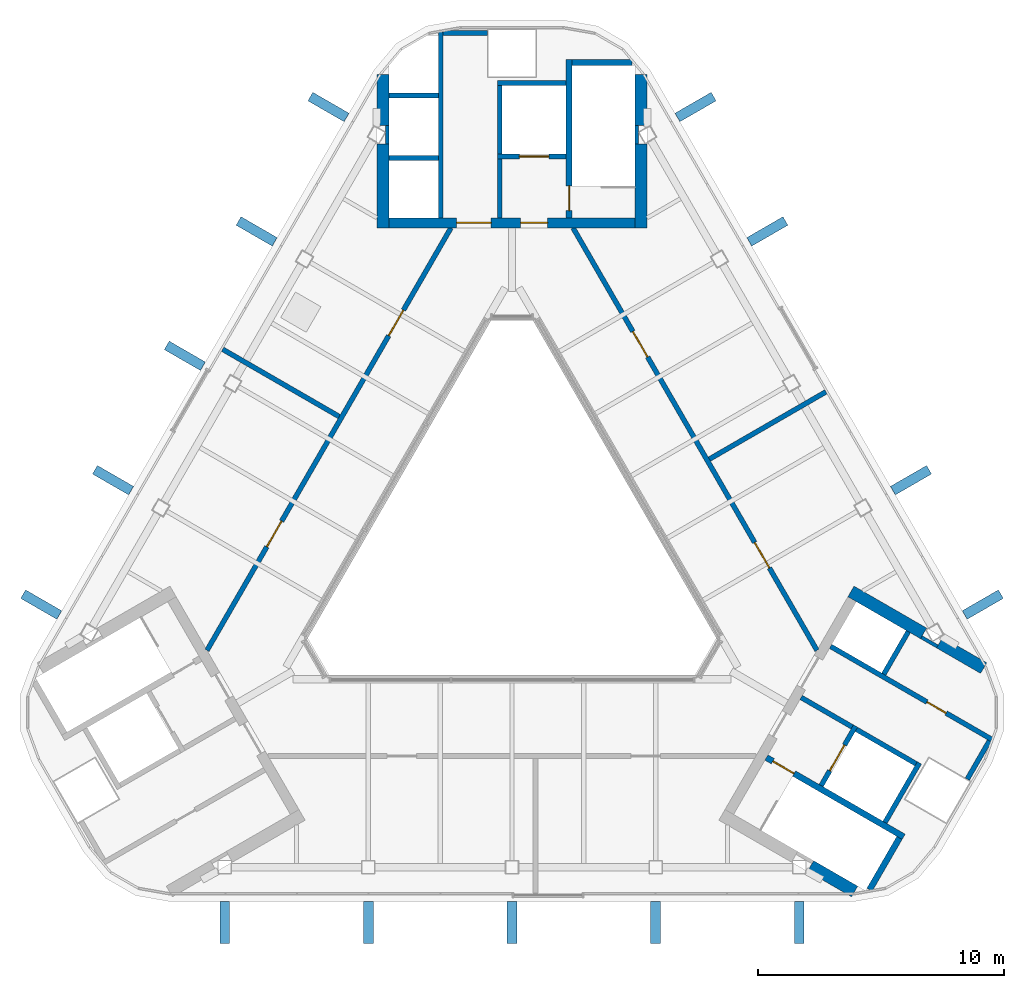
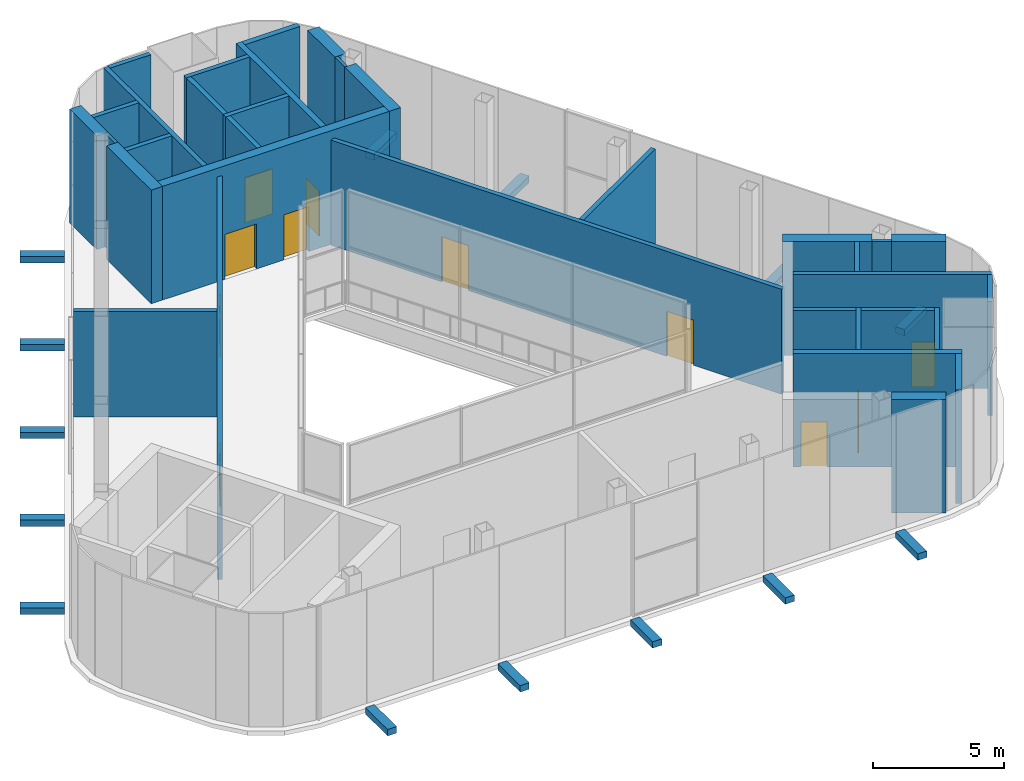
# One storey, part 7 of 9: 34 walls, 14 discrete accessories, 11 doors, 11 openings.
"""IFC4 building model written with IfcOpenShell, lengths in metres."""

from ifc_helpers import new_model, si_unit, direction, frame, frame_2d, origin, origin_2d, place, context, subcontext, project, spatial, rectangle, extrude, material, layer, layer_set, type_object, element, fill, save


model = new_model("IFC4")

# Units and contexts
model_context = context("Model", 3, precision=1e-05, world=origin(), true_north=direction((0.0, 1.0)))
body_context = subcontext(model_context, "Body", "Model", "MODEL_VIEW")
ifc_project = project(units=[si_unit("LENGTHUNIT", "METRE"), si_unit("AREAUNIT", "SQUARE_METRE"), si_unit("VOLUMEUNIT", "CUBIC_METRE"), si_unit("PLANEANGLEUNIT", "RADIAN"), si_unit("MASSUNIT", "GRAM", prefix="KILO")], contexts=[model_context])

# Site, building, storey
site_placement = place(None, origin())
site = spatial("IfcSite", under=ifc_project, at=site_placement, CompositionType="ELEMENT")
building_placement = place(site_placement, origin())
building = spatial("IfcBuilding", under=site, at=building_placement, Name="Apuvela Tower Hotel", CompositionType="ELEMENT")
storey_placement = place(building_placement, frame((0.0, 0.0, 343.300048828125)))
storey = spatial("IfcBuildingStorey", under=building, at=storey_placement, Name="R-1 ROOF", CompositionType="ELEMENT", Elevation=343.300048828125)

# Walls
ifc_material_1 = material(Name="Concrete C50/60", Category="concrete")
ifc_layer_1 = layer(ifc_material_1, 0.139892578125)
ifc_layer_set_1 = layer_set([ifc_layer_1], Name="COR-WALL-CORE-140")
wall_type_1 = type_object("IfcWallType", Name="COR-WALL-CORE-140", PredefinedType="SHEAR", material=ifc_layer_set_1)
for number, where, z_axis, x_axis, name in (
    (1, (5.070068359375, 16.31298828125, 0.0), (0.0, 0.0, 1.0), (0.0, 1.0, 0.0), "Core wall N"),
    (2, (-5.070068359375, 16.31298828125, 0.0), (0.0, 0.0, 1.0), (0.0, 1.0, 0.0), "Core wall N"),
):
    element("IfcWall", number, at=place(storey_placement, frame(where, z_axis=z_axis, x_axis=x_axis)), inside=storey, type_object=wall_type_1, Name=name, PredefinedType="SHEAR", context=body_context, shape_type="SweptSolid", body=[
        extrude(rectangle(XDim=0.75146484375, YDim=0.139892578125, at=frame_2d((0.375732421875, 0.0))), origin(), (0.0, 0.0, 1.0), 5.300048828125),
    ])
wall_1_placement = place(storey_placement, frame((16.66259765625, -3.765869140625, 0.0), z_axis=(0.0, 0.0, 1.0), x_axis=(0.86603400694, -0.499985098601, 0.0)))
element("IfcWall", 3, at=wall_1_placement, inside=storey, type_object=wall_type_1, Name="Core wall SE", PredefinedType="SHEAR", context=body_context, shape_type="SweptSolid", body=[
    extrude(rectangle(XDim=0.7509765625, YDim=0.139892578125, at=frame_2d((0.37548828125, 0.0))), origin(), (0.0, 0.0, 1.0), 5.300048828125),
])

# Wall, openings, doors
ifc_layer_2 = layer(ifc_material_1, 0.39990234375)
ifc_layer_set_2 = layer_set([ifc_layer_2], Name="COR-WALL-CORE-400")
wall_type_2 = type_object("IfcWallType", Name="COR-WALL-CORE-400", PredefinedType="SHEAR", material=ifc_layer_set_2)
wall_2_placement = place(storey_placement, frame((5.0, 13.10009765625, 0.0), z_axis=(0.0, 0.0, 1.0), x_axis=(-1.0, 0.0, 0.0)))
wall_2 = element("IfcWall", 4, at=wall_2_placement, inside=storey, type_object=wall_type_2, Name="Core wall N", PredefinedType="SHEAR", context=body_context, shape_type="SweptSolid", body=[
    extrude(rectangle(XDim=10.0, YDim=0.39990234375, at=frame_2d((5.0, 0.0))), origin(), (0.0, 0.0, 1.0), 5.300048828125),
])
opening_1_placement = place(wall_2_placement, frame((3.550048828125, 0.0, 0.0)))
opening_1 = element("IfcOpeningElement", 5, at=opening_1_placement, cuts=wall_2, Name="Opening N-FD", PredefinedType="OPENING", context=body_context, shape_type="SweptSolid", body=[
    extrude(rectangle(XDim=1.10009765625, YDim=2.10009765625, at=frame_2d((0.550048828125, 1.050048828125))), frame((0.0, 0.2099609375, 0.0), z_axis=(0.0, -1.0, 0.0), x_axis=(1.0, 0.0, 0.0)), (0.0, 0.0, 1.0), 0.419921875),
])
opening_2_placement = place(wall_2_placement, frame((5.85009765625, 0.0, 0.0)))
opening_2 = element("IfcOpeningElement", 6, at=opening_2_placement, cuts=wall_2, Name="Opening N-GD", PredefinedType="OPENING", context=body_context, shape_type="SweptSolid", body=[
    extrude(rectangle(XDim=1.39990234375, YDim=2.10009765625, at=frame_2d((0.699951171875, 1.050048828125))), frame((0.0, 0.2099609375, 0.0), z_axis=(0.0, -1.0, 0.0), x_axis=(1.0, 0.0, 0.0)), (0.0, 0.0, 1.0), 0.419921875),
])
ifc_material_2 = material(Name="Steel fire door, powder coated", Category="steel")
door_type_1 = type_object("IfcDoorType", Name="COR-FD-1100", OperationType="NOTDEFINED", PredefinedType="DOOR", material=ifc_material_2)
door_1_placement = place(opening_1_placement, frame((1.10009765625, 0.0, 0.0), z_axis=(0.0, 0.0, 1.0), x_axis=(-1.0, 0.0, 0.0)))
door_1 = element("IfcDoor", 7, at=door_1_placement, inside=storey, type_object=door_type_1, Name="Firefighting lobby door N-FD", OperationType="SINGLE_SWING_LEFT", OverallHeight=2.10009765625, OverallWidth=1.10009765625, PredefinedType="DOOR", context=body_context, shape_type="SweptSolid", body=[
    extrude(rectangle(XDim=1.10009765625, YDim=2.10009765625, at=frame_2d((0.550048828125, 1.050048828125))), frame((0.0, 0.02490234375, 0.0), z_axis=(0.0, -1.0, 0.0), x_axis=(1.0, 0.0, 0.0)), (0.0, 0.0, 1.0), 0.050048828125),
])
fill(opening_1, door_1)
ifc_material_3 = material(Name="Glazed steel fire door", Category="steel")
door_type_2 = type_object("IfcDoorType", Name="COR-GD-1400", OperationType="DOUBLE_DOOR_SINGLE_SWING", PredefinedType="DOOR", material=ifc_material_3)
door_2_placement = place(opening_2_placement, frame((1.39990234375, 0.0, 0.0), z_axis=(0.0, 0.0, 1.0), x_axis=(-1.0, 0.0, 0.0)))
door_2 = element("IfcDoor", 8, at=door_2_placement, inside=storey, type_object=door_type_2, Name="Lift lobby door N-GD", OperationType="DOUBLE_DOOR_SINGLE_SWING", OverallHeight=2.10009765625, OverallWidth=1.39990234375, PredefinedType="DOOR", context=body_context, shape_type="SweptSolid", body=[
    extrude(rectangle(XDim=1.39990234375, YDim=2.10009765625, at=frame_2d((0.699951171875, 1.050048828125))), frame((0.0, 0.02490234375, 0.0), z_axis=(0.0, -1.0, 0.0), x_axis=(1.0, 0.0, 0.0)), (0.0, 0.0, 1.0), 0.050048828125),
])
fill(opening_2, door_2)

# Walls
ifc_layer_3 = layer(ifc_material_1, 0.5)
ifc_layer_set_3 = layer_set([ifc_layer_3], Name="COR-WALL-CORE-500")
wall_type_3 = type_object("IfcWallType", Name="COR-WALL-CORE-500", PredefinedType="SHEAR", material=ifc_layer_set_3)
wall_3_placement = place(storey_placement, frame((5.25, 12.89990234375, 0.0), z_axis=(0.0, 0.0, 1.0), x_axis=(0.0, 1.0, 0.0)))
element("IfcWall", 9, at=wall_3_placement, inside=storey, type_object=wall_type_3, Name="Core wall N", PredefinedType="SHEAR", context=body_context, shape_type="SweptSolid", body=[
    extrude(rectangle(XDim=3.4130859375, YDim=0.5, at=frame_2d((1.70654296875, 0.0))), origin(), (0.0, 0.0, 1.0), 5.300048828125),
])
wall_4_placement = place(storey_placement, frame((5.25, 17.064453125, 0.0), z_axis=(0.0, 0.0, 1.0), x_axis=(0.0, 1.0, 0.0)))
element("IfcWall", 10, at=wall_4_placement, inside=storey, type_object=wall_type_3, Name="Core wall N", PredefinedType="SHEAR", context=body_context, shape_type="SweptSolid", body=[
    extrude(rectangle(XDim=2.0712890625, YDim=0.5, at=frame_2d((1.03564453125, 0.0))), origin(), (0.0, 0.0, 1.0), 5.300048828125),
])
wall_5_placement = place(storey_placement, frame((-5.25, 12.89990234375, 0.0), z_axis=(0.0, 0.0, 1.0), x_axis=(0.0, 1.0, 0.0)))
element("IfcWall", 11, at=wall_5_placement, inside=storey, type_object=wall_type_3, Name="Core wall N", PredefinedType="SHEAR", context=body_context, shape_type="SweptSolid", body=[
    extrude(rectangle(XDim=3.4130859375, YDim=0.5, at=frame_2d((1.70654296875, 0.0))), origin(), (0.0, 0.0, 1.0), 5.300048828125),
])
wall_6_placement = place(storey_placement, frame((-5.25, 17.064453125, 0.0), z_axis=(0.0, 0.0, 1.0), x_axis=(0.0, 1.0, 0.0)))
element("IfcWall", 12, at=wall_6_placement, inside=storey, type_object=wall_type_3, Name="Core wall N", PredefinedType="SHEAR", context=body_context, shape_type="SweptSolid", body=[
    extrude(rectangle(XDim=2.0712890625, YDim=0.5, at=frame_2d((1.03564453125, 0.0))), origin(), (0.0, 0.0, 1.0), 5.300048828125),
])
wall_7_placement = place(storey_placement, frame((12.153076171875, -13.078857421875, 0.0), z_axis=(0.0, 0.0, 1.0), x_axis=(0.866044274939, -0.499967312778, 0.0)))
element("IfcWall", 13, at=wall_7_placement, inside=storey, type_object=wall_type_3, Name="Core wall SE", PredefinedType="SHEAR", context=body_context, shape_type="SweptSolid", body=[
    extrude(rectangle(XDim=2.071533203125, YDim=0.5, at=frame_2d((1.03564453125, 0.0))), origin(), (0.0, 0.0, 1.0), 5.300048828125),
])
wall_8_placement = place(storey_placement, frame((13.796630859375, -1.9033203125, 0.0), z_axis=(0.0, 0.0, 1.0), x_axis=(0.866024775297, -0.500001088571, 0.0)))
element("IfcWall", 14, at=wall_8_placement, inside=storey, type_object=wall_type_3, Name="Core wall SE", PredefinedType="SHEAR", context=body_context, shape_type="SweptSolid", body=[
    extrude(rectangle(XDim=3.4130859375, YDim=0.5, at=frame_2d((1.70654296875, 0.0))), origin(), (0.0, 0.0, 1.0), 5.300048828125),
])
wall_9_placement = place(storey_placement, frame((17.403076171875, -3.985595703125, 0.0), z_axis=(0.0, 0.0, 1.0), x_axis=(0.866044274939, -0.499967312778, 0.0)))
element("IfcWall", 15, at=wall_9_placement, inside=storey, type_object=wall_type_3, Name="Core wall SE", PredefinedType="SHEAR", context=body_context, shape_type="SweptSolid", body=[
    extrude(rectangle(XDim=2.071533203125, YDim=0.5, at=frame_2d((1.03564453125, 0.0))), origin(), (0.0, 0.0, 1.0), 5.300048828125),
])
ifc_layer_4 = layer(ifc_material_1, 0.199951171875)
ifc_layer_set_4 = layer_set([ifc_layer_4], Name="COR-WALL-SHAFT-200")
wall_type_4 = type_object("IfcWallType", Name="COR-WALL-SHAFT-200", PredefinedType="SHEAR", material=ifc_layer_set_4)
wall_10_placement = place(storey_placement, frame((2.199951171875, 18.800048828125, 0.0), z_axis=(0.0, 0.0, 1.0), x_axis=(-1.0, 0.0, 0.0)))
element("IfcWall", 16, at=wall_10_placement, inside=storey, type_object=wall_type_4, Name="Shaft wall N", PredefinedType="SHEAR", context=body_context, shape_type="SweptSolid", body=[
    extrude(rectangle(XDim=2.800048828125, YDim=0.199951171875, at=frame_2d((1.39990234375, 0.0))), origin(), (0.0, 0.0, 1.0), 5.300048828125),
])

# Wall, opening, door
wall_11_placement = place(storey_placement, frame((2.199951171875, 15.800048828125, 0.0), z_axis=(0.0, 0.0, 1.0), x_axis=(-1.0, 0.0, 0.0)))
wall_11 = element("IfcWall", 17, at=wall_11_placement, inside=storey, type_object=wall_type_4, Name="Shaft wall N", PredefinedType="SHEAR", context=body_context, shape_type="SweptSolid", body=[
    extrude(rectangle(XDim=2.800048828125, YDim=0.199951171875, at=frame_2d((1.39990234375, 0.0))), origin(), (0.0, 0.0, 1.0), 5.300048828125),
])
opening_3_placement = place(wall_11_placement, frame((0.699951171875, 0.0, 0.0)))
opening_3 = element("IfcOpeningElement", 18, at=opening_3_placement, cuts=wall_11, Name="Opening N-LD-FS1", PredefinedType="OPENING", context=body_context, shape_type="SweptSolid", body=[
    extrude(rectangle(XDim=1.199951171875, YDim=2.10009765625, at=frame_2d((0.60009765625, 1.050048828125))), frame((0.0, 0.10986328125, 0.0), z_axis=(0.0, -1.0, 0.0), x_axis=(1.0, 0.0, 0.0)), (0.0, 0.0, 1.0), 0.219970703125),
])
ifc_material_4 = material(Name="Stainless steel lift landing door", Category="steel")
door_type_3 = type_object("IfcDoorType", Name="COR-LD-1200", OperationType="DOUBLE_DOOR_SLIDING", PredefinedType="DOOR", material=ifc_material_4)
door_3_placement = place(opening_3_placement, origin())
door_3 = element("IfcDoor", 19, at=door_3_placement, inside=storey, type_object=door_type_3, Name="Lift landing door N-LD-FS1", OperationType="DOUBLE_DOOR_SLIDING", OverallHeight=2.10009765625, OverallWidth=1.199951171875, PredefinedType="DOOR", context=body_context, shape_type="SweptSolid", body=[
    extrude(rectangle(XDim=1.199951171875, YDim=2.10009765625, at=frame_2d((0.60009765625, 1.050048828125))), frame((0.0, 0.02490234375, 0.0), z_axis=(0.0, -1.0, 0.0), x_axis=(1.0, 0.0, 0.0)), (0.0, 0.0, 1.0), 0.050048828125),
])
fill(opening_3, door_3)

# Walls
wall_12_placement = place(storey_placement, frame((-0.5, 15.89990234375, 0.0), z_axis=(0.0, 0.0, 1.0), x_axis=(0.0, 1.0, 0.0)))
element("IfcWall", 20, at=wall_12_placement, inside=storey, type_object=wall_type_4, Name="Shaft wall N", PredefinedType="SHEAR", context=body_context, shape_type="SweptSolid", body=[
    extrude(rectangle(XDim=2.800048828125, YDim=0.199951171875, at=frame_2d((1.39990234375, 0.0))), origin(), (0.0, 0.0, 1.0), 5.300048828125),
])
wall_13_placement = place(storey_placement, frame((-0.5, 13.300048828125, 0.0), z_axis=(0.0, 0.0, 1.0), x_axis=(0.0, 1.0, 0.0)))
element("IfcWall", 21, at=wall_13_placement, inside=storey, type_object=wall_type_4, Name="Shaft wall N", PredefinedType="SHEAR", context=body_context, shape_type="SweptSolid", body=[
    extrude(rectangle(XDim=2.39990234375, YDim=0.199951171875, at=frame_2d((1.199951171875, 0.0))), origin(), (0.0, 0.0, 1.0), 5.300048828125),
])
wall_14_placement = place(storey_placement, frame((-2.89990234375, 13.300048828125, 0.0), z_axis=(0.0, 0.0, 1.0), x_axis=(0.0, 1.0, 0.0)))
element("IfcWall", 22, at=wall_14_placement, inside=storey, type_object=wall_type_4, Name="Shaft wall N", PredefinedType="SHEAR", context=body_context, shape_type="SweptSolid", body=[
    extrude(rectangle(XDim=7.576416015625, YDim=0.199951171875, at=frame_2d((3.7880859375, 0.0))), origin(), (0.0, 0.0, 1.0), 5.300048828125),
])
wall_15_placement = place(storey_placement, frame((-1.0, 20.820068359375, 0.0), z_axis=(0.0, 0.0, 1.0), x_axis=(-1.0, 0.0, 0.0)))
element("IfcWall", 23, at=wall_15_placement, inside=storey, type_object=wall_type_4, Name="Shaft wall N", PredefinedType="SHEAR", context=body_context, shape_type="SweptSolid", body=[
    extrude(rectangle(XDim=1.800048828125, YDim=0.199951171875, at=frame_2d((0.89990234375, 0.0))), origin(), (0.0, 0.0, 1.0), 5.300048828125),
])
for number, where, z_axis, x_axis, name in (
    (24, (-3.0, 15.739990234375, 0.0), (0.0, 0.0, 1.0), (-1.0, 0.0, 0.0), "Shaft wall N"),
    (25, (-3.0, 18.280029296875, 0.0), (0.0, 0.0, 1.0), (-1.0, 0.0, 0.0), "Shaft wall N"),
):
    element("IfcWall", number, at=place(storey_placement, frame(where, z_axis=z_axis, x_axis=x_axis)), inside=storey, type_object=wall_type_4, Name=name, PredefinedType="SHEAR", context=body_context, shape_type="SweptSolid", body=[
        extrude(rectangle(XDim=2.0, YDim=0.199951171875, at=frame_2d((1.0, 0.0))), origin(), (0.0, 0.0, 1.0), 5.300048828125),
    ])
wall_16_placement = place(storey_placement, frame((15.181396484375, -11.305419921875, 0.0), z_axis=(0.0, 0.0, 1.0), x_axis=(0.49994636267, 0.866056369097, 0.0)))
element("IfcWall", 26, at=wall_16_placement, inside=storey, type_object=wall_type_4, Name="Shaft wall SE", PredefinedType="SHEAR", context=body_context, shape_type="SweptSolid", body=[
    extrude(rectangle(XDim=2.800048828125, YDim=0.199951171875, at=frame_2d((1.39990234375, 0.0))), origin(), (0.0, 0.0, 1.0), 5.300048828125),
])

# Wall, opening, door
wall_17_placement = place(storey_placement, frame((12.583251953125, -9.805419921875, 0.0), z_axis=(0.0, 0.0, 1.0), x_axis=(0.49994636267, 0.866056369097, 0.0)))
wall_17 = element("IfcWall", 27, at=wall_17_placement, inside=storey, type_object=wall_type_4, Name="Shaft wall SE", PredefinedType="SHEAR", context=body_context, shape_type="SweptSolid", body=[
    extrude(rectangle(XDim=2.800048828125, YDim=0.199951171875, at=frame_2d((1.39990234375, 0.0))), origin(), (0.0, 0.0, 1.0), 5.300048828125),
])
opening_4_placement = place(wall_17_placement, frame((0.699951171875, 0.0, 0.0)))
opening_4 = element("IfcOpeningElement", 28, at=opening_4_placement, cuts=wall_17, Name="Opening E-LD-FS3", PredefinedType="OPENING", context=body_context, shape_type="SweptSolid", body=[
    extrude(rectangle(XDim=1.199951171875, YDim=2.10009765625, at=frame_2d((0.60009765625, 1.050048828125))), frame((0.0, 0.10986328125, 0.0), z_axis=(0.0, -1.0, 0.0), x_axis=(1.0, 0.0, 0.0)), (0.0, 0.0, 1.0), 0.219970703125),
])
door_4_placement = place(opening_4_placement, origin())
door_4 = element("IfcDoor", 29, at=door_4_placement, inside=storey, type_object=door_type_3, Name="Lift landing door E-LD-FS3", OperationType="DOUBLE_DOOR_SLIDING", OverallHeight=2.10009765625, OverallWidth=1.199951171875, PredefinedType="DOOR", context=body_context, shape_type="SweptSolid", body=[
    extrude(rectangle(XDim=1.199951171875, YDim=2.10009765625, at=frame_2d((0.60009765625, 1.050048828125))), frame((0.0, 0.02490234375, 0.0), z_axis=(0.0, -1.0, 0.0), x_axis=(1.0, 0.0, 0.0)), (0.0, 0.0, 1.0), 0.050048828125),
])
fill(opening_4, door_4)

# Walls
wall_18_placement = place(storey_placement, frame((11.76806640625, -6.217041015625, 0.0), z_axis=(0.0, 0.0, 1.0), x_axis=(0.866050077142, -0.499957262057, 0.0)))
element("IfcWall", 30, at=wall_18_placement, inside=storey, type_object=wall_type_4, Name="Shaft wall SE", PredefinedType="SHEAR", context=body_context, shape_type="SweptSolid", body=[
    extrude(rectangle(XDim=2.400146484375, YDim=0.199951171875, at=frame_2d((1.2001953125, 0.0))), origin(), (0.0, 0.0, 1.0), 5.300048828125),
])
wall_19_placement = place(storey_placement, frame((14.019775390625, -7.51708984375, 0.0), z_axis=(0.0, 0.0, 1.0), x_axis=(0.866034573852, -0.49998411664, 0.0)))
element("IfcWall", 31, at=wall_19_placement, inside=storey, type_object=wall_type_4, Name="Shaft wall SE", PredefinedType="SHEAR", context=body_context, shape_type="SweptSolid", body=[
    extrude(rectangle(XDim=2.7998046875, YDim=0.199951171875, at=frame_2d((1.39990234375, 0.0))), origin(), (0.0, 0.0, 1.0), 5.300048828125),
])

# Wall, opening, door
wall_20_placement = place(storey_placement, frame((12.968017578125, -4.138427734375, 0.0), z_axis=(0.0, 0.0, 1.0), x_axis=(0.866023531779, -0.500003242395, 0.0)))
wall_20 = element("IfcWall", 32, at=wall_20_placement, inside=storey, type_object=wall_type_4, Name="Shaft wall SE", PredefinedType="SHEAR", context=body_context, shape_type="SweptSolid", body=[
    extrude(rectangle(XDim=7.57666015625, YDim=0.199951171875, at=frame_2d((3.788330078125, 0.0))), origin(), (0.0, 0.0, 1.0), 5.300048828125),
])
opening_5_placement = place(wall_20_placement, frame((4.530029296875, 0.0, 0.0)))
opening_5 = element("IfcOpeningElement", 33, at=opening_5_placement, cuts=wall_20, Name="Opening E-RE2", PredefinedType="OPENING", context=body_context, shape_type="SweptSolid", body=[
    extrude(rectangle(XDim=0.89990234375, YDim=2.10009765625, at=frame_2d((0.449951171875, 1.050048828125))), frame((0.0, 0.10986328125, 0.0), z_axis=(0.0, -1.0, 0.0), x_axis=(1.0, 0.0, 0.0)), (0.0, 0.0, 1.0), 0.219970703125),
])
door_type_4 = type_object("IfcDoorType", Name="COR-DR-900", OperationType="NOTDEFINED", PredefinedType="DOOR", material=ifc_material_2)
door_5_placement = place(opening_5_placement, origin())
door_5 = element("IfcDoor", 34, at=door_5_placement, inside=storey, type_object=door_type_4, Name="Store door E-RE2", OperationType="SINGLE_SWING_LEFT", OverallHeight=2.10009765625, OverallWidth=0.89990234375, PredefinedType="DOOR", context=body_context, shape_type="SweptSolid", body=[
    extrude(rectangle(XDim=0.89990234375, YDim=2.10009765625, at=frame_2d((0.449951171875, 1.050048828125))), frame((0.0, 0.02490234375, 0.0), z_axis=(0.0, -1.0, 0.0), x_axis=(1.0, 0.0, 0.0)), (0.0, 0.0, 1.0), 0.050048828125),
])
fill(opening_5, door_5)

# Walls
wall_21_placement = place(storey_placement, frame((18.530517578125, -9.5439453125, 0.0), z_axis=(0.0, 0.0, 1.0), x_axis=(0.500062916607, 0.865989075817, 0.0)))
element("IfcWall", 35, at=wall_21_placement, inside=storey, type_object=wall_type_4, Name="Shaft wall SE", PredefinedType="SHEAR", context=body_context, shape_type="SweptSolid", body=[
    extrude(rectangle(XDim=1.800048828125, YDim=0.199951171875, at=frame_2d((0.89990234375, 0.0))), origin(), (0.0, 0.0, 1.0), 5.300048828125),
])
wall_22_placement = place(storey_placement, frame((15.131103515625, -5.27197265625, 0.0), z_axis=(0.0, 0.0, 1.0), x_axis=(0.499972520799, 0.866041268327, 0.0)))
element("IfcWall", 36, at=wall_22_placement, inside=storey, type_object=wall_type_4, Name="Shaft wall SE", PredefinedType="SHEAR", context=body_context, shape_type="SweptSolid", body=[
    extrude(rectangle(XDim=2.0, YDim=0.199951171875, at=frame_2d((1.0, 0.0))), origin(), (0.0, 0.0, 1.0), 5.300048828125),
])

# Wall, opening, door
ifc_layer_5 = layer(ifc_material_1, 0.25)
ifc_layer_set_5 = layer_set([ifc_layer_5], Name="COR-WALL-STAIR-250")
wall_type_5 = type_object("IfcWallType", Name="COR-WALL-STAIR-250", PredefinedType="SHEAR", material=ifc_layer_set_5)
wall_23_placement = place(storey_placement, frame((2.324951171875, 13.300048828125, 0.0), z_axis=(0.0, 0.0, 1.0), x_axis=(0.0, 1.0, 0.0)))
wall_23 = element("IfcWall", 37, at=wall_23_placement, inside=storey, type_object=wall_type_5, Name="Stair wall N", PredefinedType="SHEAR", context=body_context, shape_type="SweptSolid", body=[
    extrude(rectangle(XDim=6.449951171875, YDim=0.25, at=frame_2d((3.22509765625, 0.0))), origin(), (0.0, 0.0, 1.0), 5.300048828125),
])
opening_6_placement = place(wall_23_placement, frame((0.300048828125, 0.0, 0.0)))
opening_6 = element("IfcOpeningElement", 38, at=opening_6_placement, cuts=wall_23, Name="Opening N-SD", PredefinedType="OPENING", context=body_context, shape_type="SweptSolid", body=[
    extrude(rectangle(XDim=1.0, YDim=2.10009765625, at=frame_2d((0.5, 1.050048828125))), frame((0.0, 0.135009765625, 0.0), z_axis=(0.0, -1.0, 0.0), x_axis=(1.0, 0.0, 0.0)), (0.0, 0.0, 1.0), 0.27001953125),
])
door_type_5 = type_object("IfcDoorType", Name="COR-SD-1000", OperationType="NOTDEFINED", PredefinedType="DOOR", material=ifc_material_2)
door_6_placement = place(opening_6_placement, frame((1.0, 0.0, 0.0), z_axis=(0.0, 0.0, 1.0), x_axis=(-1.0, 0.0, 0.0)))
door_6 = element("IfcDoor", 39, at=door_6_placement, inside=storey, type_object=door_type_5, Name="Stair door N-SD", OperationType="SINGLE_SWING_LEFT", OverallHeight=2.10009765625, OverallWidth=1.0, PredefinedType="DOOR", context=body_context, shape_type="SweptSolid", body=[
    extrude(rectangle(XDim=1.0, YDim=2.10009765625, at=frame_2d((0.5, 1.050048828125))), frame((0.0, 0.02490234375, 0.0), z_axis=(0.0, -1.0, 0.0), x_axis=(1.0, 0.0, 0.0)), (0.0, 0.0, 1.0), 0.050048828125),
])
fill(opening_6, door_6)

# Wall
wall_24_placement = place(storey_placement, frame((4.8798828125, 19.625, 0.0), z_axis=(0.0, 0.0, 1.0), x_axis=(-1.0, 0.0, 0.0)))
element("IfcWall", 40, at=wall_24_placement, inside=storey, type_object=wall_type_5, Name="Stair wall N", PredefinedType="SHEAR", context=body_context, shape_type="SweptSolid", body=[
    extrude(rectangle(XDim=2.429931640625, YDim=0.25, at=frame_2d((1.21484375, 0.0))), origin(), (0.0, 0.0, 1.0), 5.300048828125),
])

# Wall, opening, door
wall_25_placement = place(storey_placement, frame((10.355712890625, -8.66357421875, 0.0), z_axis=(0.0, 0.0, 1.0), x_axis=(0.866028629588, -0.499994412703, 0.0)))
wall_25 = element("IfcWall", 41, at=wall_25_placement, inside=storey, type_object=wall_type_5, Name="Stair wall SE", PredefinedType="SHEAR", context=body_context, shape_type="SweptSolid", body=[
    extrude(rectangle(XDim=6.44970703125, YDim=0.25, at=frame_2d((3.224853515625, 0.0))), origin(), (0.0, 0.0, 1.0), 5.300048828125),
])
opening_7_placement = place(wall_25_placement, frame((0.300048828125, 0.0, 0.0)))
opening_7 = element("IfcOpeningElement", 42, at=opening_7_placement, cuts=wall_25, Name="Opening E-SD", PredefinedType="OPENING", context=body_context, shape_type="SweptSolid", body=[
    extrude(rectangle(XDim=1.0, YDim=2.10009765625, at=frame_2d((0.5, 1.050048828125))), frame((0.0, 0.135009765625, 0.0), z_axis=(0.0, -1.0, 0.0), x_axis=(1.0, 0.0, 0.0)), (0.0, 0.0, 1.0), 0.27001953125),
])
door_7_placement = place(opening_7_placement, frame((1.0, 0.0, 0.0), z_axis=(0.0, 0.0, 1.0), x_axis=(-1.0, 0.0, 0.0)))
door_7 = element("IfcDoor", 43, at=door_7_placement, inside=storey, type_object=door_type_5, Name="Stair door E-SD", OperationType="SINGLE_SWING_LEFT", OverallHeight=2.10009765625, OverallWidth=1.0, PredefinedType="DOOR", context=body_context, shape_type="SweptSolid", body=[
    extrude(rectangle(XDim=1.0, YDim=2.10009765625, at=frame_2d((0.5, 1.050048828125))), frame((0.0, 0.02490234375, 0.0), z_axis=(0.0, -1.0, 0.0), x_axis=(1.0, 0.0, 0.0)), (0.0, 0.0, 1.0), 0.050048828125),
])
fill(opening_7, door_7)

# Wall
wall_26_placement = place(storey_placement, frame((14.5556640625, -14.038818359375, 0.0), z_axis=(0.0, 0.0, 1.0), x_axis=(0.500018134935, 0.866014933322, 0.0)))
element("IfcWall", 44, at=wall_26_placement, inside=storey, type_object=wall_type_5, Name="Stair wall SE", PredefinedType="SHEAR", context=body_context, shape_type="SweptSolid", body=[
    extrude(rectangle(XDim=2.43017578125, YDim=0.25, at=frame_2d((1.215087890625, 0.0))), origin(), (0.0, 0.0, 1.0), 5.300048828125),
])

# Wall, openings, doors
ifc_material_5 = material(Name="Fire-rated gypsum board partition on steel stud", Category="steel")
ifc_layer_6 = layer(ifc_material_5, 0.199951171875)
ifc_layer_set_6 = layer_set([ifc_layer_6], Name="SPC-WALL-CORRIDOR")
wall_type_6 = type_object("IfcWallType", Name="SPC-WALL-CORRIDOR", PredefinedType="PARTITIONING", material=ifc_layer_set_6)
wall_27_placement = place(storey_placement, frame((12.4130859375, -4.300048828125, 0.0), z_axis=(0.0, 0.0, 1.0), x_axis=(-0.50000478328, 0.866022642139, 0.0)))
wall_27 = element("IfcWall", 45, at=wall_27_placement, inside=storey, type_object=wall_type_6, Name="Wall RP-NE-CW", PredefinedType="PARTITIONING", context=body_context, shape_type="SweptSolid", body=[
    extrude(rectangle(XDim=19.861083984375, YDim=0.199951171875, at=frame_2d((9.9306640625, 0.0))), origin(), (0.0, 0.0, 1.0), 4.89990234375),
])
opening_8_placement = place(wall_27_placement, frame((3.87109375, 0.0, 0.0)))
opening_8 = element("IfcOpeningElement", 46, at=opening_8_placement, cuts=wall_27, Name="Opening RP-S01", PredefinedType="OPENING", context=body_context, shape_type="SweptSolid", body=[
    extrude(rectangle(XDim=1.199951171875, YDim=2.10009765625, at=frame_2d((0.60009765625, 1.050048828125))), frame((0.0, 0.10986328125, 0.0), z_axis=(0.0, -1.0, 0.0), x_axis=(1.0, 0.0, 0.0)), (0.0, 0.0, 1.0), 0.219970703125),
])
opening_9_placement = place(wall_27_placement, frame((13.7900390625, 0.0, 0.0)))
opening_9 = element("IfcOpeningElement", 47, at=opening_9_placement, cuts=wall_27, Name="Opening RP-S02", PredefinedType="OPENING", context=body_context, shape_type="SweptSolid", body=[
    extrude(rectangle(XDim=1.199951171875, YDim=2.10009765625, at=frame_2d((0.60009765625, 1.050048828125))), frame((0.0, 0.10986328125, 0.0), z_axis=(0.0, -1.0, 0.0), x_axis=(1.0, 0.0, 0.0)), (0.0, 0.0, 1.0), 0.219970703125),
])
ifc_material_6 = material(Name="Steel fire door leaf", Category="steel")
door_type_6 = type_object("IfcDoorType", Name="SPC-DOOR-1200-PLANT", OperationType="NOTDEFINED", PredefinedType="DOOR", material=ifc_material_6)
door_8_placement = place(opening_8_placement, frame((1.199951171875, 0.0, 0.0), z_axis=(0.0, 0.0, 1.0), x_axis=(-1.0, 0.0, 0.0)))
door_8 = element("IfcDoor", 48, at=door_8_placement, inside=storey, type_object=door_type_6, Name="RP-S01", OperationType="SINGLE_SWING_RIGHT", OverallHeight=2.10009765625, OverallWidth=1.199951171875, PredefinedType="DOOR", context=body_context, shape_type="SweptSolid", body=[
    extrude(rectangle(XDim=1.199951171875, YDim=2.10009765625, at=frame_2d((0.60009765625, 1.050048828125))), frame((0.0, 0.02490234375, 0.0), z_axis=(0.0, -1.0, 0.0), x_axis=(1.0, 0.0, 0.0)), (0.0, 0.0, 1.0), 0.050048828125),
])
fill(opening_8, door_8)
door_9_placement = place(opening_9_placement, frame((1.199951171875, 0.0, 0.0), z_axis=(0.0, 0.0, 1.0), x_axis=(-1.0, 0.0, 0.0)))
door_9 = element("IfcDoor", 49, at=door_9_placement, inside=storey, type_object=door_type_6, Name="RP-S02", OperationType="SINGLE_SWING_LEFT", OverallHeight=2.10009765625, OverallWidth=1.199951171875, PredefinedType="DOOR", context=body_context, shape_type="SweptSolid", body=[
    extrude(rectangle(XDim=1.199951171875, YDim=2.10009765625, at=frame_2d((0.60009765625, 1.050048828125))), frame((0.0, 0.02490234375, 0.0), z_axis=(0.0, -1.0, 0.0), x_axis=(1.0, 0.0, 0.0)), (0.0, 0.0, 1.0), 0.050048828125),
])
fill(opening_9, door_9)

wall_28_placement = place(storey_placement, frame((-2.482421875, 12.900146484375, 0.0), z_axis=(0.0, 0.0, 1.0), x_axis=(-0.50000478328, -0.866022642139, 0.0)))
wall_28 = element("IfcWall", 50, at=wall_28_placement, inside=storey, type_object=wall_type_6, Name="Wall RP-NW-CW", PredefinedType="PARTITIONING", context=body_context, shape_type="SweptSolid", body=[
    extrude(rectangle(XDim=19.861083984375, YDim=0.199951171875, at=frame_2d((9.9306640625, 0.0))), origin(), (0.0, 0.0, 1.0), 4.89990234375),
])
opening_10_placement = place(wall_28_placement, frame((3.87109375, 0.0, 0.0)))
opening_10 = element("IfcOpeningElement", 51, at=opening_10_placement, cuts=wall_28, Name="Opening RP-S03", PredefinedType="OPENING", context=body_context, shape_type="SweptSolid", body=[
    extrude(rectangle(XDim=1.199951171875, YDim=2.10009765625, at=frame_2d((0.60009765625, 1.050048828125))), frame((0.0, 0.10986328125, 0.0), z_axis=(0.0, -1.0, 0.0), x_axis=(1.0, 0.0, 0.0)), (0.0, 0.0, 1.0), 0.219970703125),
])
opening_11_placement = place(wall_28_placement, frame((13.7900390625, 0.0, 0.0)))
opening_11 = element("IfcOpeningElement", 52, at=opening_11_placement, cuts=wall_28, Name="Opening RP-S04", PredefinedType="OPENING", context=body_context, shape_type="SweptSolid", body=[
    extrude(rectangle(XDim=1.199951171875, YDim=2.10009765625, at=frame_2d((0.60009765625, 1.050048828125))), frame((0.0, 0.10986328125, 0.0), z_axis=(0.0, -1.0, 0.0), x_axis=(1.0, 0.0, 0.0)), (0.0, 0.0, 1.0), 0.219970703125),
])
door_10_placement = place(opening_10_placement, frame((1.199951171875, 0.0, 0.0), z_axis=(0.0, 0.0, 1.0), x_axis=(-1.0, 0.0, 0.0)))
door_10 = element("IfcDoor", 53, at=door_10_placement, inside=storey, type_object=door_type_6, Name="RP-S03", OperationType="SINGLE_SWING_RIGHT", OverallHeight=2.10009765625, OverallWidth=1.199951171875, PredefinedType="DOOR", context=body_context, shape_type="SweptSolid", body=[
    extrude(rectangle(XDim=1.199951171875, YDim=2.10009765625, at=frame_2d((0.60009765625, 1.050048828125))), frame((0.0, 0.02490234375, 0.0), z_axis=(0.0, -1.0, 0.0), x_axis=(1.0, 0.0, 0.0)), (0.0, 0.0, 1.0), 0.050048828125),
])
fill(opening_10, door_10)
door_11_placement = place(opening_11_placement, frame((1.199951171875, 0.0, 0.0), z_axis=(0.0, 0.0, 1.0), x_axis=(-1.0, 0.0, 0.0)))
door_11 = element("IfcDoor", 54, at=door_11_placement, inside=storey, type_object=door_type_6, Name="RP-S04", OperationType="SINGLE_SWING_LEFT", OverallHeight=2.10009765625, OverallWidth=1.199951171875, PredefinedType="DOOR", context=body_context, shape_type="SweptSolid", body=[
    extrude(rectangle(XDim=1.199951171875, YDim=2.10009765625, at=frame_2d((0.60009765625, 1.050048828125))), frame((0.0, 0.02490234375, 0.0), z_axis=(0.0, -1.0, 0.0), x_axis=(1.0, 0.0, 0.0)), (0.0, 0.0, 1.0), 0.050048828125),
])
fill(opening_11, door_11)

# Walls
ifc_material_7 = material(Name="Reinforced blockwork B15", Category="masonry")
ifc_layer_7 = layer(ifc_material_7, 0.199951171875)
ifc_layer_set_7 = layer_set([ifc_layer_7], Name="SPC-WALL-PLANT")
wall_type_7 = type_object("IfcWallType", Name="SPC-WALL-PLANT", PredefinedType="PARTITIONING", material=ifc_layer_set_7)
wall_29_placement = place(storey_placement, frame((12.77685546875, 6.22216796875, 0.0), z_axis=(0.0, 0.0, 1.0), x_axis=(-0.866006658003, -0.500032467241, 0.0)))
element("IfcWall", 55, at=wall_29_placement, inside=storey, type_object=wall_type_7, Name="Wall RP-NE-P01", PredefinedType="PARTITIONING", context=body_context, shape_type="SweptSolid", body=[
    extrude(rectangle(XDim=5.476318359375, YDim=0.199951171875, at=frame_2d((2.73828125, 0.0))), origin(), (0.0, 0.0, 1.0), 4.909912109375),
])
wall_30_placement = place(storey_placement, frame((-11.77685546875, 7.9541015625, 0.0), z_axis=(0.0, 0.0, 1.0), x_axis=(0.866025963225, -0.49999903102, 0.0)))
element("IfcWall", 56, at=wall_30_placement, inside=storey, type_object=wall_type_7, Name="Wall RP-NW-P01", PredefinedType="PARTITIONING", context=body_context, shape_type="SweptSolid", body=[
    extrude(rectangle(XDim=5.47607421875, YDim=0.199951171875, at=frame_2d((2.738037109375, 0.0))), origin(), (0.0, 0.0, 1.0), 4.909912109375),
])

# Discrete accessories
ifc_material_8 = material(Name="Steel S355, black paint system", Category="steel")
discrete_accessory_type = type_object("IfcDiscreteAccessoryType", Name="ENV-FIN-BRACKET-LONG", PredefinedType="BRACKET", material=ifc_material_8)
for number, where, z_axis, x_axis, name in (
    (57, (19.162109375, -2.4375, -0.25), (0.0, 0.0, 1.0), (-0.5, 0.866025403784, 0.0), "Fin bracket NE146"),
    (58, (16.2392578125, 2.625244140625, -0.25), (0.0, 0.0, 1.0), (-0.5, 0.866025403784, 0.0), "Fin bracket NE147"),
    (59, (10.393310546875, 12.7509765625, -0.25), (0.0, 0.0, 1.0), (-0.5, 0.866025403784, 0.0), "Fin bracket NE148"),
    (60, (7.47021484375, 17.813720703125, -0.25), (0.0, 0.0, 1.0), (-0.5, 0.866025403784, 0.0), "Fin bracket NE149"),
    (61, (-7.47021484375, 17.813720703125, -0.25), (0.0, 0.0, 1.0), (-0.5, -0.866025403784, 0.0), "Fin bracket NW295"),
    (62, (-10.393310546875, 12.7509765625, -0.25), (0.0, 0.0, 1.0), (-0.5, -0.866025403784, 0.0), "Fin bracket NW296"),
    (63, (-13.316162109375, 7.68798828125, -0.25), (0.0, 0.0, 1.0), (-0.5, -0.866025403784, 0.0), "Fin bracket NW297"),
    (64, (-16.2392578125, 2.625244140625, -0.25), (0.0, 0.0, 1.0), (-0.5, -0.866025403784, 0.0), "Fin bracket NW298"),
    (65, (-19.162109375, -2.4375, -0.25), (0.0, 0.0, 1.0), (-0.5, -0.866025403784, 0.0), "Fin bracket NW299"),
    (66, (-11.69189453125, -15.376220703125, -0.25), (0.0, 0.0, 1.0), (1.0, 0.0, 0.0), "Fin bracket S445"),
    (67, (-5.845947265625, -15.376220703125, -0.25), (0.0, 0.0, 1.0), (1.0, 0.0, 0.0), "Fin bracket S446"),
    (68, (0.0, -15.376220703125, -0.25), (0.0, 0.0, 1.0), (1.0, 0.0, 0.0), "Fin bracket S447"),
    (69, (5.845947265625, -15.376220703125, -0.25), (0.0, 0.0, 1.0), (1.0, 0.0, 0.0), "Fin bracket S448"),
    (70, (11.69189453125, -15.376220703125, -0.25), (0.0, 0.0, 1.0), (1.0, 0.0, 0.0), "Fin bracket S449"),
):
    element("IfcDiscreteAccessory", number, at=place(storey_placement, frame(where, z_axis=z_axis, x_axis=x_axis)), inside=storey, type_object=discrete_accessory_type, Name=name, PredefinedType="BRACKET", context=body_context, shape_type="SweptSolid", body=[
        extrude(rectangle(XDim=0.39990234375, YDim=1.699951171875, at=origin_2d()), origin(), (0.0, 0.0, 1.0), 0.300048828125),
    ])

save(model, "model.ifc")
